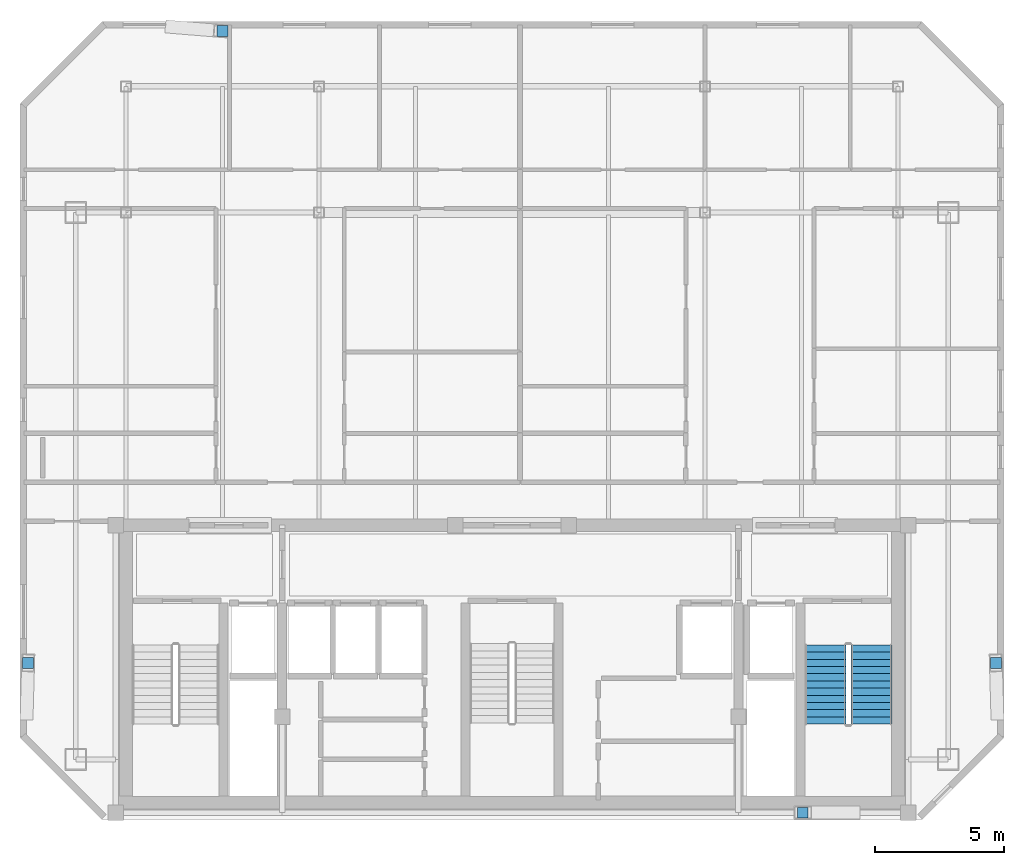
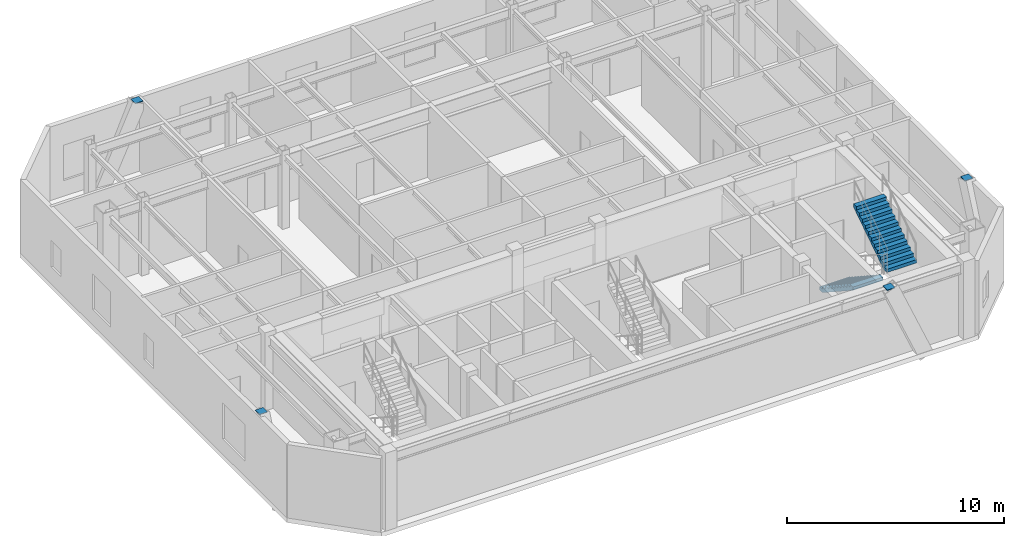
# One storey, part 6 of 7: 4 discrete accessories, 2 stair flights, 1 element without a shape of its own.
"""IFC4 building model written with IfcOpenShell, lengths in metres."""

from ifc_helpers import new_model, si_unit, direction, frame, origin, origin_2d, place, context, subcontext, project, spatial, polyline, rectangle, outline, extrude, material, type_object, element, aggregate, save


model = new_model("IFC4")

# Units and contexts
model_context = context("Model", 3, precision=1e-05, world=origin(), true_north=direction((0.0, 1.0)))
body_context = subcontext(model_context, "Body", "Model", "MODEL_VIEW")
ifc_project = project(units=[si_unit("LENGTHUNIT", "METRE"), si_unit("AREAUNIT", "SQUARE_METRE"), si_unit("VOLUMEUNIT", "CUBIC_METRE"), si_unit("PLANEANGLEUNIT", "RADIAN"), si_unit("MASSUNIT", "GRAM", prefix="KILO")], contexts=[model_context])

# Site, building, storey
site_placement = place(None, origin())
site = spatial("IfcSite", under=ifc_project, at=site_placement, CompositionType="ELEMENT")
building_placement = place(site_placement, origin())
building = spatial("IfcBuilding", under=site, at=building_placement, Name="Ventersveld Concourse Tower", CompositionType="ELEMENT")
storey_placement = place(building_placement, frame((0.0, 0.0, 353.449951171875)))
storey = spatial("IfcBuildingStorey", under=building, at=storey_placement, Name="L87", CompositionType="ELEMENT", Elevation=353.449951171875)

# Stair, stair flights
ifc_material_1 = material(Name="Concrete C50/60", Category="concrete")
stair_type = type_object("IfcStairType", Name="ST-DOG-160", PredefinedType="HALF_TURN_STAIR", material=ifc_material_1)
stair_placement = place(storey_placement, origin())
stair = element("IfcStair", 1, at=stair_placement, inside=storey, type_object=stair_type, Name="L87 Protected Tower Escape Stair ST-02", PredefinedType="HALF_TURN_STAIR")
stair_flight_type = type_object("IfcStairFlightType", Name="STF-RC-160", PredefinedType="STRAIGHT", material=ifc_material_1)
stair_flight_1_placement = place(storey_placement, frame((40.919921875, 6.800048828125, 0.0), z_axis=(0.0, 0.0, 1.0), x_axis=(0.0, -1.0, 0.0)))
stair_flight_1 = element("IfcStairFlight", 2, at=stair_flight_1_placement, type_object=stair_flight_type, Name="ST-02 flight 1", NumberOfRisers=12, NumberOfTreads=11, PredefinedType="STRAIGHT", RiserHeight=0.183333333, TreadLength=0.28, context=body_context, shape_type="SweptSolid", body=[
    extrude(outline(polyline([(0.0, 0.0), (0.0, 0.183349609375), (0.280029296875, 0.183349609375), (0.280029296875, 0.36669921875), (0.56005859375, 0.36669921875), (0.56005859375, 0.550048828125), (0.840087890625, 0.550048828125), (0.840087890625, 0.7333984375), (1.1201171875, 0.7333984375), (1.1201171875, 0.916748046875), (1.39990234375, 0.916748046875), (1.39990234375, 1.10009765625), (1.679931640625, 1.10009765625), (1.679931640625, 1.283447265625), (1.9599609375, 1.283447265625), (1.9599609375, 1.466552734375), (2.239990234375, 1.466552734375), (2.239990234375, 1.64990234375), (2.52001953125, 1.64990234375), (2.52001953125, 1.833251953125), (2.800048828125, 1.833251953125), (2.800048828125, 2.0166015625), (3.080078125, 2.0166015625), (3.080078125, 2.199951171875), (3.080078125, 1.83740234375), (0.273681640625, 0.0), (0.0, 0.0)])), frame((0.0, 0.800048828125, 0.0), z_axis=(0.0, -1.0, 0.0), x_axis=(1.0, 0.0, 0.0)), (0.0, 0.0, 1.0), 1.60009765625),
])
stair_flight_2_placement = place(storey_placement, frame((42.719970703125, 3.719970703125, 2.199951171875), z_axis=(0.0, 0.0, 1.0), x_axis=(0.0, 1.0, 0.0)))
stair_flight_2 = element("IfcStairFlight", 3, at=stair_flight_2_placement, type_object=stair_flight_type, Name="ST-02 flight 2", NumberOfRisers=12, NumberOfTreads=11, PredefinedType="STRAIGHT", RiserHeight=0.183333333, TreadLength=0.28, context=body_context, shape_type="SweptSolid", body=[
    extrude(outline(polyline([(0.0, 0.0), (0.0, 0.183349609375), (0.280029296875, 0.183349609375), (0.280029296875, 0.36669921875), (0.56005859375, 0.36669921875), (0.56005859375, 0.550048828125), (0.840087890625, 0.550048828125), (0.840087890625, 0.7333984375), (1.1201171875, 0.7333984375), (1.1201171875, 0.916748046875), (1.39990234375, 0.916748046875), (1.39990234375, 1.10009765625), (1.679931640625, 1.10009765625), (1.679931640625, 1.283447265625), (1.9599609375, 1.283447265625), (1.9599609375, 1.466552734375), (2.239990234375, 1.466552734375), (2.239990234375, 1.64990234375), (2.52001953125, 1.64990234375), (2.52001953125, 1.833251953125), (2.800048828125, 1.833251953125), (2.800048828125, 2.0166015625), (3.080078125, 2.0166015625), (3.080078125, 2.199951171875), (3.080078125, 1.83740234375), (0.273681640625, 0.0), (0.0, 0.0)])), frame((0.0, 0.800048828125, 0.0), z_axis=(0.0, -1.0, 0.0), x_axis=(1.0, 0.0, 0.0)), (0.0, 0.0, 1.0), 1.60009765625),
])
aggregate(stair, [stair_flight_1, stair_flight_2])

# Discrete accessories
ifc_material_2 = material(Name="Structural steel S355J2", Category="steel")
discrete_accessory_type = type_object("IfcDiscreteAccessoryType", Name="CONN-BRACE-ECP1", PredefinedType="BRACKET", material=ifc_material_2)
for number, where, z_axis, x_axis, name in (
    (4, (17.5, 30.6484375, 4.1201171875), (0.0, 0.0, 1.0), (1.0, 0.0, 0.0), "L87 Steel Brace End Connection Plate ECP1-0533"),
    (5, (40.050048828125, 0.280029296875, 4.1201171875), (0.0, 0.0, 1.0), (1.0, 0.0, 0.0), "L87 Steel Brace End Connection Plate ECP1-0537"),
    (6, (9.9482421875, 6.10009765625, 4.1201171875), (0.0, 0.0, 1.0), (1.0, 0.0, 0.0), "L87 Steel Brace End Connection Plate ECP1-0541"),
    (7, (47.551513671875, 6.10009765625, 4.1201171875), (0.0, 0.0, 1.0), (1.0, 0.0, 0.0), "L87 Steel Brace End Connection Plate ECP1-0545"),
):
    element("IfcDiscreteAccessory", number, at=place(storey_placement, frame(where, z_axis=z_axis, x_axis=x_axis)), inside=storey, type_object=discrete_accessory_type, Name=name, PredefinedType="BRACKET", context=body_context, shape_type="SweptSolid", body=[
        extrude(rectangle(XDim=0.419921875, YDim=0.419921875, at=origin_2d()), origin(), (0.0, 0.0, 1.0), 0.0400390625),
    ])

save(model, "model.ifc")
